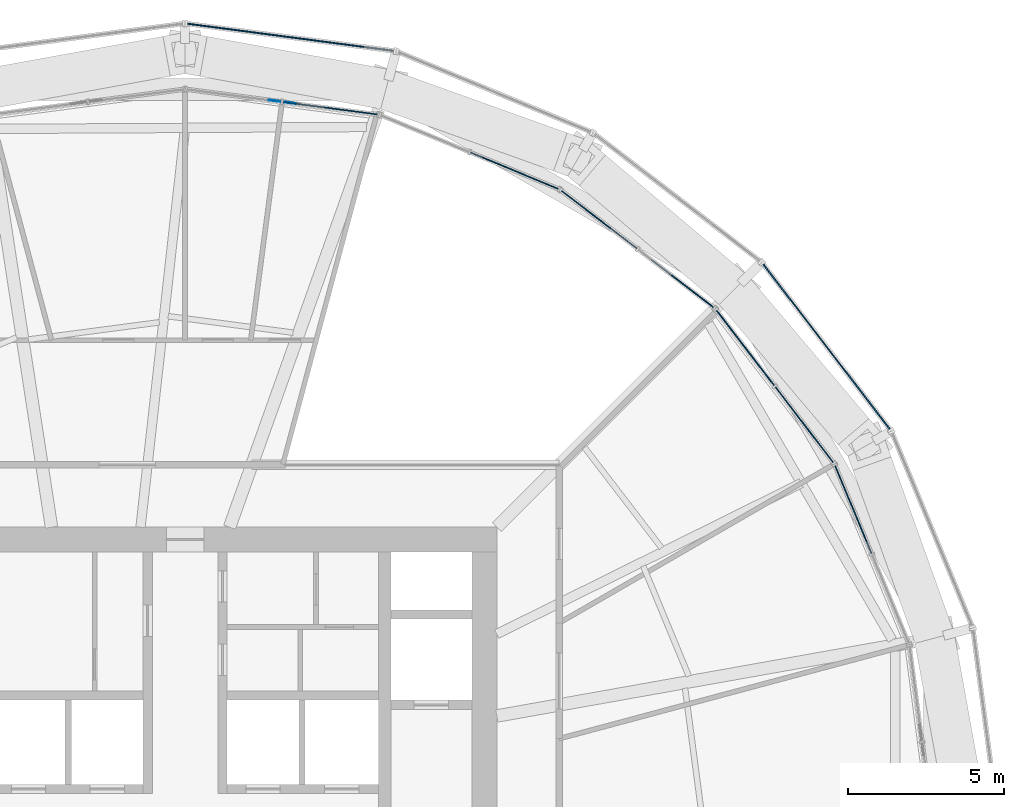
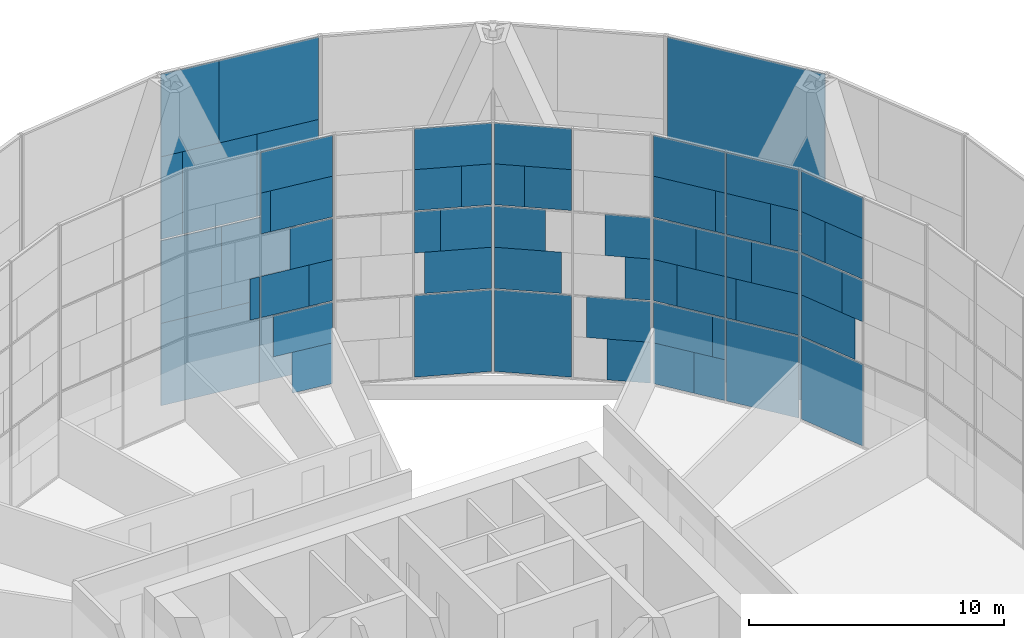
# One storey, part 21 of 26: 63 plates, 7 elements without a shape of their own.
"""IFC4 building model written with IfcOpenShell, lengths in metres."""

from ifc_helpers import new_model, si_unit, direction, frame, origin, origin_2d, place, context, subcontext, project, spatial, rectangle, extrude, material, layer, layer_set, type_object, element, aggregate, save


model = new_model("IFC4")

# Units and contexts
model_context = context("Model", 3, precision=1e-05, world=origin(), true_north=direction((0.0, 1.0)))
body_context = subcontext(model_context, "Body", "Model", "MODEL_VIEW")
ifc_project = project(units=[si_unit("LENGTHUNIT", "METRE"), si_unit("AREAUNIT", "SQUARE_METRE"), si_unit("VOLUMEUNIT", "CUBIC_METRE"), si_unit("PLANEANGLEUNIT", "RADIAN"), si_unit("MASSUNIT", "GRAM", prefix="KILO")], contexts=[model_context])

# Site, building, storey
site_placement = place(None, origin())
site = spatial("IfcSite", under=ifc_project, at=site_placement, CompositionType="ELEMENT")
building_placement = place(site_placement, origin())
building = spatial("IfcBuilding", under=site, at=building_placement, Name="Golbaran Civic Tower", CompositionType="ELEMENT")
storey_placement = place(building_placement, frame((0.0, 0.0, 69.0)))
storey = spatial("IfcBuildingStorey", under=building, at=storey_placement, Name="L16", CompositionType="ELEMENT", Elevation=69.0)

# Curtain wall, plates
ifc_material_1 = material(Name="Aluminium and glass", Category="aluminium")
curtain_wall_type_1 = type_object("IfcCurtainWallType", Name="INNER SKIN CURTAIN WALL", PredefinedType="NOTDEFINED", material=ifc_material_1)
curtain_wall_1_placement = place(storey_placement, origin())
curtain_wall_1 = element("IfcCurtainWall", 1, at=curtain_wall_1_placement, inside=storey, type_object=curtain_wall_type_1, Name="Inner skin L16 facet 2 CW1", ObjectType="INNER SKIN", PredefinedType="USERDEFINED")
ifc_material_2 = material(Name="Clear insulating glass", Category="glass")
ifc_layer_1 = layer(ifc_material_2, 0.031982421875, Name="Clear insulating glass")
ifc_layer_set_1 = layer_set([ifc_layer_1], Name="Clear insulating glass")
plate_type_1 = type_object("IfcPlateType", Name="INNER SKIN CURTAIN WALL GLAZED PANEL", PredefinedType="CURTAIN_PANEL", material=ifc_layer_set_1)
plate_1_placement = place(storey_placement, frame((21.4375, 10.561279296875, 0.06494140625), z_axis=(0.0, 0.0, 1.0), x_axis=(-0.382683432446, 0.923879532478, 0.0)))
plate_1 = element("IfcPlate", 2, at=plate_1_placement, type_object=plate_type_1, Name="CW1 panel 2.1", PredefinedType="CURTAIN_PANEL", context=body_context, shape_type="SweptSolid", body=[
    extrude(rectangle(XDim=3.0419921875, YDim=0.031982421875, at=origin_2d()), origin(), (0.0, 0.0, 1.0), 3.902587890625),
])
plate_2_placement = place(storey_placement, frame((21.36083984375, 10.746337890625, 4.03271484375), z_axis=(0.0, 0.0, 1.0), x_axis=(-0.382683432446, 0.923879532478, 0.0)))
plate_2 = element("IfcPlate", 3, at=plate_2_placement, type_object=plate_type_1, Name="CW1 panel 2.2 part 2", PredefinedType="CURTAIN_PANEL", context=body_context, shape_type="SweptSolid", body=[
    extrude(rectangle(XDim=2.64111328125, YDim=0.031982421875, at=origin_2d()), origin(), (0.0, 0.0, 1.0), 1.967529296875),
])
plate_3_placement = place(storey_placement, frame((21.23876953125, 11.041259765625, 6.0), z_axis=(0.0, 0.0, 1.0), x_axis=(-0.382683432446, 0.923879532478, 0.0)))
plate_3 = element("IfcPlate", 4, at=plate_3_placement, type_object=plate_type_1, Name="CW1 panel 2.2 part 4", PredefinedType="CURTAIN_PANEL", context=body_context, shape_type="SweptSolid", body=[
    extrude(rectangle(XDim=2.0029296875, YDim=0.031982421875, at=origin_2d()), origin(), (0.0, 0.0, 1.0), 1.967529296875),
])
plate_4_placement = place(storey_placement, frame((21.0810546875, 11.421875, 8.032470703125), z_axis=(0.0, 0.0, 1.0), x_axis=(-0.382683432446, 0.923879532478, 0.0)))
plate_4 = element("IfcPlate", 5, at=plate_4_placement, type_object=plate_type_1, Name="CW1 panel 2.3 part 2", PredefinedType="CURTAIN_PANEL", context=body_context, shape_type="SweptSolid", body=[
    extrude(rectangle(XDim=1.178955078125, YDim=0.031982421875, at=origin_2d()), origin(), (0.0, 0.0, 1.0), 1.951171875),
])

curtain_wall_2_placement = place(storey_placement, origin())
curtain_wall_2 = element("IfcCurtainWall", 6, at=curtain_wall_2_placement, inside=storey, type_object=curtain_wall_type_1, Name="Inner skin L16 facet 3 CW1", ObjectType="INNER SKIN", PredefinedType="USERDEFINED")
plate_5_placement = place(storey_placement, frame((19.864990234375, 13.28466796875, 0.06494140625), z_axis=(0.0, 0.0, 1.0), x_axis=(-0.608761428967, 0.793353340323, 0.0)))
plate_5 = element("IfcPlate", 7, at=plate_5_placement, type_object=plate_type_1, Name="CW1 panel 1.1", PredefinedType="CURTAIN_PANEL", context=body_context, shape_type="SweptSolid", body=[
    extrude(rectangle(XDim=3.0419921875, YDim=0.031982421875, at=origin_2d()), origin(), (0.0, 0.0, 1.0), 3.902587890625),
])
plate_6_placement = place(storey_placement, frame((19.987060546875, 13.125732421875, 4.03271484375), z_axis=(0.0, 0.0, 1.0), x_axis=(-0.608761428967, 0.793353340323, 0.0)))
plate_6 = element("IfcPlate", 8, at=plate_6_placement, type_object=plate_type_1, Name="CW1 panel 1.2 part 1", PredefinedType="CURTAIN_PANEL", context=body_context, shape_type="SweptSolid", body=[
    extrude(rectangle(XDim=2.64111328125, YDim=0.031982421875, at=origin_2d()), origin(), (0.0, 0.0, 1.0), 1.967529296875),
])
plate_7_placement = place(storey_placement, frame((20.18115234375, 12.87255859375, 6.0), z_axis=(0.0, 0.0, 1.0), x_axis=(-0.608761428967, 0.793353340323, 0.0)))
plate_7 = element("IfcPlate", 9, at=plate_7_placement, type_object=plate_type_1, Name="CW1 panel 1.2 part 3", PredefinedType="CURTAIN_PANEL", context=body_context, shape_type="SweptSolid", body=[
    extrude(rectangle(XDim=2.0029296875, YDim=0.031982421875, at=origin_2d()), origin(), (0.0, 0.0, 1.0), 1.967529296875),
])
plate_8_placement = place(storey_placement, frame((20.43212890625, 12.545654296875, 8.032470703125), z_axis=(0.0, 0.0, 1.0), x_axis=(-0.608761428967, 0.793353340323, 0.0)))
plate_8 = element("IfcPlate", 10, at=plate_8_placement, type_object=plate_type_1, Name="CW1 panel 1.3 part 1", PredefinedType="CURTAIN_PANEL", context=body_context, shape_type="SweptSolid", body=[
    extrude(rectangle(XDim=1.178955078125, YDim=0.031982421875, at=origin_2d()), origin(), (0.0, 0.0, 1.0), 1.951171875),
])
plate_9_placement = place(storey_placement, frame((18.494873046875, 15.0703125, 0.06494140625), z_axis=(0.0, 0.0, 1.0), x_axis=(-0.608761428967, 0.793353340323, 0.0)))
plate_9 = element("IfcPlate", 11, at=plate_9_placement, type_object=plate_type_1, Name="CW1 panel 2.1 part 1", PredefinedType="CURTAIN_PANEL", context=body_context, shape_type="SweptSolid", body=[
    extrude(rectangle(XDim=1.3291015625, YDim=0.031982421875, at=origin_2d()), origin(), (0.0, 0.0, 1.0), 1.951171875),
])
plate_10_placement = place(storey_placement, frame((18.73779296875, 14.753662109375, 2.016357421875), z_axis=(0.0, 0.0, 1.0), x_axis=(-0.608761428967, 0.793353340323, 0.0)))
plate_10 = element("IfcPlate", 12, at=plate_10_placement, type_object=plate_type_1, Name="CW1 panel 2.1 part 3", PredefinedType="CURTAIN_PANEL", context=body_context, shape_type="SweptSolid", body=[
    extrude(rectangle(XDim=0.531005859375, YDim=0.031982421875, at=origin_2d()), origin(), (0.0, 0.0, 1.0), 1.951171875),
])
plate_11_placement = place(storey_placement, frame((17.349609375, 16.56298828125, 4.03271484375), z_axis=(0.0, 0.0, 1.0), x_axis=(-0.608761428967, 0.793353340323, 0.0)))
plate_11 = element("IfcPlate", 13, at=plate_11_placement, type_object=plate_type_1, Name="CW1 panel 2.2 part 2", PredefinedType="CURTAIN_PANEL", context=body_context, shape_type="SweptSolid", body=[
    extrude(rectangle(XDim=0.991943359375, YDim=0.031982421875, at=origin_2d()), origin(), (0.0, 0.0, 1.0), 1.967529296875),
])
plate_12_placement = place(storey_placement, frame((17.594970703125, 16.2431640625, 6.0), z_axis=(0.0, 0.0, 1.0), x_axis=(-0.608761428967, 0.793353340323, 0.0)))
plate_12 = element("IfcPlate", 14, at=plate_12_placement, type_object=plate_type_1, Name="CW1 panel 2.2 part 4", PredefinedType="CURTAIN_PANEL", context=body_context, shape_type="SweptSolid", body=[
    extrude(rectangle(XDim=1.798095703125, YDim=0.031982421875, at=origin_2d()), origin(), (0.0, 0.0, 1.0), 1.967529296875),
])
plate_13_placement = place(storey_placement, frame((17.848388671875, 15.912841796875, 8.032470703125), z_axis=(0.0, 0.0, 1.0), x_axis=(-0.608761428967, 0.793353340323, 0.0)))
plate_13 = element("IfcPlate", 15, at=plate_13_placement, type_object=plate_type_1, Name="CW1 panel 2.3 part 2", PredefinedType="CURTAIN_PANEL", context=body_context, shape_type="SweptSolid", body=[
    extrude(rectangle(XDim=2.631103515625, YDim=0.031982421875, at=origin_2d()), origin(), (0.0, 0.0, 1.0), 1.951171875),
])
plate_14_placement = place(storey_placement, frame((17.9736328125, 15.749755859375, 9.98388671875), z_axis=(0.0, 0.0, 1.0), x_axis=(-0.608761428967, 0.793353340323, 0.0)))
plate_14 = element("IfcPlate", 16, at=plate_14_placement, type_object=plate_type_1, Name="CW1 panel 2.3 part 3", PredefinedType="CURTAIN_PANEL", context=body_context, shape_type="SweptSolid", body=[
    extrude(rectangle(XDim=3.0419921875, YDim=0.031982421875, at=origin_2d()), origin(), (0.0, 0.0, 1.0), 1.951171875),
])

curtain_wall_3_placement = place(storey_placement, origin())
curtain_wall_3 = element("IfcCurtainWall", 17, at=curtain_wall_3_placement, inside=storey, type_object=curtain_wall_type_1, Name="Inner skin L16 facet 4 CW1", ObjectType="INNER SKIN", PredefinedType="USERDEFINED")
plate_15_placement = place(storey_placement, frame((16.56298828125, 17.349609375, 4.03271484375), z_axis=(0.0, 0.0, 1.0), x_axis=(-0.793353340323, 0.608761428967, 0.0)))
plate_15 = element("IfcPlate", 18, at=plate_15_placement, type_object=plate_type_1, Name="CW1 panel 1.2 part 1", PredefinedType="CURTAIN_PANEL", context=body_context, shape_type="SweptSolid", body=[
    extrude(rectangle(XDim=0.991943359375, YDim=0.031982421875, at=origin_2d()), origin(), (0.0, 0.0, 1.0), 1.967529296875),
])
plate_16_placement = place(storey_placement, frame((16.242919921875, 17.59521484375, 6.0), z_axis=(0.0, 0.0, 1.0), x_axis=(-0.793353340323, 0.608761428967, 0.0)))
plate_16 = element("IfcPlate", 19, at=plate_16_placement, type_object=plate_type_1, Name="CW1 panel 1.2 part 3", PredefinedType="CURTAIN_PANEL", context=body_context, shape_type="SweptSolid", body=[
    extrude(rectangle(XDim=1.799072265625, YDim=0.031982421875, at=origin_2d()), origin(), (0.0, 0.0, 1.0), 1.967529296875),
])
plate_17_placement = place(storey_placement, frame((13.28466796875, 19.864990234375, 0.06494140625), z_axis=(0.0, 0.0, 1.0), x_axis=(-0.793353340323, 0.608761428967, 0.0)))
plate_17 = element("IfcPlate", 20, at=plate_17_placement, type_object=plate_type_1, Name="CW1 panel 2.1", PredefinedType="CURTAIN_PANEL", context=body_context, shape_type="SweptSolid", body=[
    extrude(rectangle(XDim=3.0419921875, YDim=0.031982421875, at=origin_2d()), origin(), (0.0, 0.0, 1.0), 3.902587890625),
])
plate_18_placement = place(storey_placement, frame((13.125732421875, 19.987060546875, 4.03271484375), z_axis=(0.0, 0.0, 1.0), x_axis=(-0.793353340323, 0.608761428967, 0.0)))
plate_18 = element("IfcPlate", 21, at=plate_18_placement, type_object=plate_type_1, Name="CW1 panel 2.2 part 2", PredefinedType="CURTAIN_PANEL", context=body_context, shape_type="SweptSolid", body=[
    extrude(rectangle(XDim=2.64111328125, YDim=0.031982421875, at=origin_2d()), origin(), (0.0, 0.0, 1.0), 1.967529296875),
])
plate_19_placement = place(storey_placement, frame((12.87255859375, 20.18115234375, 6.0), z_axis=(0.0, 0.0, 1.0), x_axis=(-0.793353340323, 0.608761428967, 0.0)))
plate_19 = element("IfcPlate", 22, at=plate_19_placement, type_object=plate_type_1, Name="CW1 panel 2.2 part 4", PredefinedType="CURTAIN_PANEL", context=body_context, shape_type="SweptSolid", body=[
    extrude(rectangle(XDim=2.0029296875, YDim=0.031982421875, at=origin_2d()), origin(), (0.0, 0.0, 1.0), 1.967529296875),
])
plate_20_placement = place(storey_placement, frame((12.545654296875, 20.43212890625, 8.032470703125), z_axis=(0.0, 0.0, 1.0), x_axis=(-0.793353340323, 0.608761428967, 0.0)))
plate_20 = element("IfcPlate", 23, at=plate_20_placement, type_object=plate_type_1, Name="CW1 panel 2.3 part 2", PredefinedType="CURTAIN_PANEL", context=body_context, shape_type="SweptSolid", body=[
    extrude(rectangle(XDim=1.178955078125, YDim=0.031982421875, at=origin_2d()), origin(), (0.0, 0.0, 1.0), 1.951171875),
])

curtain_wall_4_placement = place(storey_placement, origin())
curtain_wall_4 = element("IfcCurtainWall", 24, at=curtain_wall_4_placement, inside=storey, type_object=curtain_wall_type_1, Name="Inner skin L16 facet 5 CW1", ObjectType="INNER SKIN", PredefinedType="USERDEFINED")
plate_21_placement = place(storey_placement, frame((10.561279296875, 21.4375, 0.06494140625), z_axis=(0.0, 0.0, 1.0), x_axis=(-0.923879532478, 0.382683432446, 0.0)))
plate_21 = element("IfcPlate", 25, at=plate_21_placement, type_object=plate_type_1, Name="CW1 panel 1.1", PredefinedType="CURTAIN_PANEL", context=body_context, shape_type="SweptSolid", body=[
    extrude(rectangle(XDim=3.0419921875, YDim=0.031982421875, at=origin_2d()), origin(), (0.0, 0.0, 1.0), 3.902587890625),
])
plate_22_placement = place(storey_placement, frame((10.74658203125, 21.360595703125, 4.03271484375), z_axis=(0.0, 0.0, 1.0), x_axis=(-0.923879532478, 0.382683432446, 0.0)))
plate_22 = element("IfcPlate", 26, at=plate_22_placement, type_object=plate_type_1, Name="CW1 panel 1.2 part 1", PredefinedType="CURTAIN_PANEL", context=body_context, shape_type="SweptSolid", body=[
    extrude(rectangle(XDim=2.64111328125, YDim=0.031982421875, at=origin_2d()), origin(), (0.0, 0.0, 1.0), 1.967529296875),
])
plate_23_placement = place(storey_placement, frame((11.041259765625, 21.238525390625, 6.0), z_axis=(0.0, 0.0, 1.0), x_axis=(-0.923879532478, 0.382683432446, 0.0)))
plate_23 = element("IfcPlate", 27, at=plate_23_placement, type_object=plate_type_1, Name="CW1 panel 1.2 part 3", PredefinedType="CURTAIN_PANEL", context=body_context, shape_type="SweptSolid", body=[
    extrude(rectangle(XDim=2.0029296875, YDim=0.031982421875, at=origin_2d()), origin(), (0.0, 0.0, 1.0), 1.967529296875),
])
plate_24_placement = place(storey_placement, frame((11.421875, 21.0810546875, 8.032470703125), z_axis=(0.0, 0.0, 1.0), x_axis=(-0.923879532478, 0.382683432446, 0.0)))
plate_24 = element("IfcPlate", 28, at=plate_24_placement, type_object=plate_type_1, Name="CW1 panel 1.3 part 1", PredefinedType="CURTAIN_PANEL", context=body_context, shape_type="SweptSolid", body=[
    extrude(rectangle(XDim=1.178955078125, YDim=0.031982421875, at=origin_2d()), origin(), (0.0, 0.0, 1.0), 1.951171875),
])

curtain_wall_5_placement = place(storey_placement, origin())
curtain_wall_5 = element("IfcCurtainWall", 29, at=curtain_wall_5_placement, inside=storey, type_object=curtain_wall_type_1, Name="Inner skin L16 facet 6 CW1", ObjectType="INNER SKIN", PredefinedType="USERDEFINED")
plate_25_placement = place(storey_placement, frame((5.669189453125, 23.306640625, 4.03271484375), z_axis=(0.0, 0.0, 1.0), x_axis=(-0.991444861381, 0.130526192168, 0.0)))
plate_25 = element("IfcPlate", 30, at=plate_25_placement, type_object=plate_type_1, Name="CW1 panel 1.2 part 1", PredefinedType="CURTAIN_PANEL", context=body_context, shape_type="SweptSolid", body=[
    extrude(rectangle(XDim=0.991943359375, YDim=0.031982421875, at=origin_2d()), origin(), (0.0, 0.0, 1.0), 1.967529296875),
])
plate_26_placement = place(storey_placement, frame((5.26904296875, 23.359375, 6.0), z_axis=(0.0, 0.0, 1.0), x_axis=(-0.991444861381, 0.130526192168, 0.0)))
plate_26 = element("IfcPlate", 31, at=plate_26_placement, type_object=plate_type_1, Name="CW1 panel 1.2 part 3", PredefinedType="CURTAIN_PANEL", context=body_context, shape_type="SweptSolid", body=[
    extrude(rectangle(XDim=1.799072265625, YDim=0.031982421875, at=origin_2d()), origin(), (0.0, 0.0, 1.0), 1.967529296875),
])
plate_27_placement = place(storey_placement, frame((4.856689453125, 23.41357421875, 8.032470703125), z_axis=(0.0, 0.0, 1.0), x_axis=(-0.991444861381, 0.130526192168, 0.0)))
plate_27 = element("IfcPlate", 32, at=plate_27_placement, type_object=plate_type_1, Name="CW1 panel 1.3 part 1", PredefinedType="CURTAIN_PANEL", context=body_context, shape_type="SweptSolid", body=[
    extrude(rectangle(XDim=2.631103515625, YDim=0.031982421875, at=origin_2d()), origin(), (0.0, 0.0, 1.0), 1.951171875),
])
plate_28_placement = place(storey_placement, frame((4.65283203125, 23.4404296875, 9.98388671875), z_axis=(0.0, 0.0, 1.0), x_axis=(-0.991444861381, 0.130526192168, 0.0)))
plate_28 = element("IfcPlate", 33, at=plate_28_placement, type_object=plate_type_1, Name="CW1 panel 1.3 part 3", PredefinedType="CURTAIN_PANEL", context=body_context, shape_type="SweptSolid", body=[
    extrude(rectangle(XDim=3.0419921875, YDim=0.031982421875, at=origin_2d()), origin(), (0.0, 0.0, 1.0), 1.951171875),
])

# Plate
ifc_material_3 = material(Name="Aluminium faced opaque infill panel", Category="aluminium")
ifc_layer_2 = layer(ifc_material_3, 0.031982421875, Name="Aluminium faced opaque infill panel")
ifc_layer_set_2 = layer_set([ifc_layer_2], Name="Aluminium faced opaque infill panel")
plate_type_2 = type_object("IfcPlateType", Name="INNER SKIN CURTAIN WALL OPAQUE INFILL PANEL", PredefinedType="CURTAIN_PANEL", material=ifc_layer_set_2)
plate_29_placement = place(storey_placement, frame((21.82080078125, 9.635986328125, 6.0), z_axis=(0.0, 0.0, 1.0), x_axis=(-0.382683432446, 0.923879532478, 0.0)))
plate_29 = element("IfcPlate", 34, at=plate_29_placement, type_object=plate_type_2, Name="CW1 infill panel 2.2 part 3", PredefinedType="CURTAIN_PANEL", context=body_context, shape_type="SweptSolid", body=[
    extrude(rectangle(XDim=1.0390625, YDim=0.031982421875, at=origin_2d()), origin(), (0.0, 0.0, 1.0), 1.967529296875),
])

plate_30_placement = place(storey_placement, frame((21.6630859375, 10.0166015625, 8.032470703125), z_axis=(0.0, 0.0, 1.0), x_axis=(-0.382683432446, 0.923879532478, 0.0)))
plate_30 = element("IfcPlate", 35, at=plate_30_placement, type_object=plate_type_2, Name="CW1 infill panel 2.3 part 1", PredefinedType="CURTAIN_PANEL", context=body_context, shape_type="SweptSolid", body=[
    extrude(rectangle(XDim=1.863037109375, YDim=0.031982421875, at=origin_2d()), origin(), (0.0, 0.0, 1.0), 1.951171875),
])

plate_31_placement = place(storey_placement, frame((21.4375, 10.561279296875, 9.98388671875), z_axis=(0.0, 0.0, 1.0), x_axis=(-0.382683432446, 0.923879532478, 0.0)))
plate_31 = element("IfcPlate", 36, at=plate_31_placement, type_object=plate_type_2, Name="CW1 infill panel 2.3 part 3", PredefinedType="CURTAIN_PANEL", context=body_context, shape_type="SweptSolid", body=[
    extrude(rectangle(XDim=3.0419921875, YDim=0.031982421875, at=origin_2d()), origin(), (0.0, 0.0, 1.0), 1.951171875),
])

aggregate(curtain_wall_1, [plate_1, plate_2, plate_29, plate_3, plate_30, plate_4, plate_31])

plate_32_placement = place(storey_placement, frame((19.06103515625, 14.33251953125, 4.03271484375), z_axis=(0.0, 0.0, 1.0), x_axis=(-0.608761428967, 0.793353340323, 0.0)))
plate_32 = element("IfcPlate", 37, at=plate_32_placement, type_object=plate_type_2, Name="CW1 infill panel 1.2 part 2", PredefinedType="CURTAIN_PANEL", context=body_context, shape_type="SweptSolid", body=[
    extrude(rectangle(XDim=0.401123046875, YDim=0.031982421875, at=origin_2d()), origin(), (0.0, 0.0, 1.0), 1.967529296875),
])

plate_33_placement = place(storey_placement, frame((19.25537109375, 14.079345703125, 6.0), z_axis=(0.0, 0.0, 1.0), x_axis=(-0.608761428967, 0.793353340323, 0.0)))
plate_33 = element("IfcPlate", 38, at=plate_33_placement, type_object=plate_type_2, Name="CW1 infill panel 1.2 part 4", PredefinedType="CURTAIN_PANEL", context=body_context, shape_type="SweptSolid", body=[
    extrude(rectangle(XDim=1.0390625, YDim=0.031982421875, at=origin_2d()), origin(), (0.0, 0.0, 1.0), 1.967529296875),
])

plate_34_placement = place(storey_placement, frame((19.506103515625, 13.75244140625, 8.032470703125), z_axis=(0.0, 0.0, 1.0), x_axis=(-0.608761428967, 0.793353340323, 0.0)))
plate_34 = element("IfcPlate", 39, at=plate_34_placement, type_object=plate_type_2, Name="CW1 infill panel 1.3 part 2", PredefinedType="CURTAIN_PANEL", context=body_context, shape_type="SweptSolid", body=[
    extrude(rectangle(XDim=1.863037109375, YDim=0.031982421875, at=origin_2d()), origin(), (0.0, 0.0, 1.0), 1.951171875),
])

plate_35_placement = place(storey_placement, frame((19.864990234375, 13.28466796875, 9.98388671875), z_axis=(0.0, 0.0, 1.0), x_axis=(-0.608761428967, 0.793353340323, 0.0)))
plate_35 = element("IfcPlate", 40, at=plate_35_placement, type_object=plate_type_2, Name="CW1 infill panel 1.3 part 3", PredefinedType="CURTAIN_PANEL", context=body_context, shape_type="SweptSolid", body=[
    extrude(rectangle(XDim=3.0419921875, YDim=0.031982421875, at=origin_2d()), origin(), (0.0, 0.0, 1.0), 1.951171875),
])

plate_36_placement = place(storey_placement, frame((17.569091796875, 16.27685546875, 0.06494140625), z_axis=(0.0, 0.0, 1.0), x_axis=(-0.608761428967, 0.793353340323, 0.0)))
plate_36 = element("IfcPlate", 41, at=plate_36_placement, type_object=plate_type_2, Name="CW1 infill panel 2.1 part 2", PredefinedType="CURTAIN_PANEL", context=body_context, shape_type="SweptSolid", body=[
    extrude(rectangle(XDim=1.713134765625, YDim=0.031982421875, at=origin_2d()), origin(), (0.0, 0.0, 1.0), 1.951171875),
])

plate_37_placement = place(storey_placement, frame((17.81201171875, 15.96044921875, 2.016357421875), z_axis=(0.0, 0.0, 1.0), x_axis=(-0.608761428967, 0.793353340323, 0.0)))
plate_37 = element("IfcPlate", 42, at=plate_37_placement, type_object=plate_type_2, Name="CW1 infill panel 2.1 part 4", PredefinedType="CURTAIN_PANEL", context=body_context, shape_type="SweptSolid", body=[
    extrude(rectangle(XDim=2.510986328125, YDim=0.031982421875, at=origin_2d()), origin(), (0.0, 0.0, 1.0), 1.951171875),
])

plate_38_placement = place(storey_placement, frame((18.275390625, 15.356201171875, 4.03271484375), z_axis=(0.0, 0.0, 1.0), x_axis=(-0.608761428967, 0.793353340323, 0.0)))
plate_38 = element("IfcPlate", 43, at=plate_38_placement, type_object=plate_type_2, Name="CW1 infill panel 2.2 part 1", PredefinedType="CURTAIN_PANEL", context=body_context, shape_type="SweptSolid", body=[
    extrude(rectangle(XDim=2.050048828125, YDim=0.031982421875, at=origin_2d()), origin(), (0.0, 0.0, 1.0), 1.967529296875),
])

plate_39_placement = place(storey_placement, frame((18.520751953125, 15.03662109375, 6.0), z_axis=(0.0, 0.0, 1.0), x_axis=(-0.608761428967, 0.793353340323, 0.0)))
plate_39 = element("IfcPlate", 44, at=plate_39_placement, type_object=plate_type_2, Name="CW1 infill panel 2.2 part 3", PredefinedType="CURTAIN_PANEL", context=body_context, shape_type="SweptSolid", body=[
    extrude(rectangle(XDim=1.243896484375, YDim=0.031982421875, at=origin_2d()), origin(), (0.0, 0.0, 1.0), 1.967529296875),
])

plate_40_placement = place(storey_placement, frame((18.7744140625, 14.7060546875, 8.032470703125), z_axis=(0.0, 0.0, 1.0), x_axis=(-0.608761428967, 0.793353340323, 0.0)))
plate_40 = element("IfcPlate", 45, at=plate_40_placement, type_object=plate_type_2, Name="CW1 infill panel 2.3 part 1", PredefinedType="CURTAIN_PANEL", context=body_context, shape_type="SweptSolid", body=[
    extrude(rectangle(XDim=0.410888671875, YDim=0.031982421875, at=origin_2d()), origin(), (0.0, 0.0, 1.0), 1.951171875),
])

aggregate(curtain_wall_2, [plate_5, plate_6, plate_32, plate_7, plate_33, plate_8, plate_34, plate_35, plate_9, plate_36, plate_10, plate_37, plate_38, plate_11, plate_39, plate_12, plate_40, plate_13, plate_14])

plate_41_placement = place(storey_placement, frame((16.27685546875, 17.569091796875, 0.06494140625), z_axis=(0.0, 0.0, 1.0), x_axis=(-0.793353340323, 0.608761428967, 0.0)))
plate_41 = element("IfcPlate", 46, at=plate_41_placement, type_object=plate_type_2, Name="CW1 infill panel 1.1 part 1", PredefinedType="CURTAIN_PANEL", context=body_context, shape_type="SweptSolid", body=[
    extrude(rectangle(XDim=1.712890625, YDim=0.031982421875, at=origin_2d()), origin(), (0.0, 0.0, 1.0), 1.951171875),
])

plate_42_placement = place(storey_placement, frame((15.96044921875, 17.81201171875, 2.016357421875), z_axis=(0.0, 0.0, 1.0), x_axis=(-0.793353340323, 0.608761428967, 0.0)))
plate_42 = element("IfcPlate", 47, at=plate_42_placement, type_object=plate_type_2, Name="CW1 infill panel 1.1 part 3", PredefinedType="CURTAIN_PANEL", context=body_context, shape_type="SweptSolid", body=[
    extrude(rectangle(XDim=2.510986328125, YDim=0.031982421875, at=origin_2d()), origin(), (0.0, 0.0, 1.0), 1.951171875),
])

plate_43_placement = place(storey_placement, frame((13.75244140625, 19.506103515625, 8.032470703125), z_axis=(0.0, 0.0, 1.0), x_axis=(-0.793353340323, 0.608761428967, 0.0)))
plate_43 = element("IfcPlate", 48, at=plate_43_placement, type_object=plate_type_2, Name="CW1 infill panel 2.3 part 1", PredefinedType="CURTAIN_PANEL", context=body_context, shape_type="SweptSolid", body=[
    extrude(rectangle(XDim=1.863037109375, YDim=0.031982421875, at=origin_2d()), origin(), (0.0, 0.0, 1.0), 1.951171875),
])

plate_44_placement = place(storey_placement, frame((13.28466796875, 19.864990234375, 9.98388671875), z_axis=(0.0, 0.0, 1.0), x_axis=(-0.793353340323, 0.608761428967, 0.0)))
plate_44 = element("IfcPlate", 49, at=plate_44_placement, type_object=plate_type_2, Name="CW1 infill panel 2.3 part 3", PredefinedType="CURTAIN_PANEL", context=body_context, shape_type="SweptSolid", body=[
    extrude(rectangle(XDim=3.0419921875, YDim=0.031982421875, at=origin_2d()), origin(), (0.0, 0.0, 1.0), 1.951171875),
])

aggregate(curtain_wall_3, [plate_41, plate_42, plate_15, plate_16, plate_17, plate_18, plate_19, plate_43, plate_20, plate_44])

plate_45_placement = place(storey_placement, frame((9.635986328125, 21.82080078125, 6.0), z_axis=(0.0, 0.0, 1.0), x_axis=(-0.923879532478, 0.382683432446, 0.0)))
plate_45 = element("IfcPlate", 50, at=plate_45_placement, type_object=plate_type_2, Name="CW1 infill panel 1.2 part 4", PredefinedType="CURTAIN_PANEL", context=body_context, shape_type="SweptSolid", body=[
    extrude(rectangle(XDim=1.0390625, YDim=0.031982421875, at=origin_2d()), origin(), (0.0, 0.0, 1.0), 1.967529296875),
])

plate_46_placement = place(storey_placement, frame((10.0166015625, 21.6630859375, 8.032470703125), z_axis=(0.0, 0.0, 1.0), x_axis=(-0.923879532478, 0.382683432446, 0.0)))
plate_46 = element("IfcPlate", 51, at=plate_46_placement, type_object=plate_type_2, Name="CW1 infill panel 1.3 part 2", PredefinedType="CURTAIN_PANEL", context=body_context, shape_type="SweptSolid", body=[
    extrude(rectangle(XDim=1.863037109375, YDim=0.031982421875, at=origin_2d()), origin(), (0.0, 0.0, 1.0), 1.951171875),
])

plate_47_placement = place(storey_placement, frame((10.561279296875, 21.4375, 9.98388671875), z_axis=(0.0, 0.0, 1.0), x_axis=(-0.923879532478, 0.382683432446, 0.0)))
plate_47 = element("IfcPlate", 52, at=plate_47_placement, type_object=plate_type_2, Name="CW1 infill panel 1.3 part 3", PredefinedType="CURTAIN_PANEL", context=body_context, shape_type="SweptSolid", body=[
    extrude(rectangle(XDim=3.0419921875, YDim=0.031982421875, at=origin_2d()), origin(), (0.0, 0.0, 1.0), 1.951171875),
])

aggregate(curtain_wall_4, [plate_21, plate_22, plate_23, plate_45, plate_24, plate_46, plate_47])

plate_48_placement = place(storey_placement, frame((5.311767578125, 23.353759765625, 0.06494140625), z_axis=(0.0, 0.0, 1.0), x_axis=(-0.991444861381, 0.130526192168, 0.0)))
plate_48 = element("IfcPlate", 53, at=plate_48_placement, type_object=plate_type_2, Name="CW1 infill panel 1.1 part 1", PredefinedType="CURTAIN_PANEL", context=body_context, shape_type="SweptSolid", body=[
    extrude(rectangle(XDim=1.712890625, YDim=0.031982421875, at=origin_2d()), origin(), (0.0, 0.0, 1.0), 1.951171875),
])

plate_49_placement = place(storey_placement, frame((4.916259765625, 23.40576171875, 2.016357421875), z_axis=(0.0, 0.0, 1.0), x_axis=(-0.991444861381, 0.130526192168, 0.0)))
plate_49 = element("IfcPlate", 54, at=plate_49_placement, type_object=plate_type_2, Name="CW1 infill panel 1.1 part 3", PredefinedType="CURTAIN_PANEL", context=body_context, shape_type="SweptSolid", body=[
    extrude(rectangle(XDim=2.510986328125, YDim=0.031982421875, at=origin_2d()), origin(), (0.0, 0.0, 1.0), 1.951171875),
])

plate_50_placement = place(storey_placement, frame((4.1611328125, 23.505126953125, 4.03271484375), z_axis=(0.0, 0.0, 1.0), x_axis=(-0.991444861381, 0.130526192168, 0.0)))
plate_50 = element("IfcPlate", 55, at=plate_50_placement, type_object=plate_type_2, Name="CW1 infill panel 1.2 part 2", PredefinedType="CURTAIN_PANEL", context=body_context, shape_type="SweptSolid", body=[
    extrude(rectangle(XDim=2.050048828125, YDim=0.031982421875, at=origin_2d()), origin(), (0.0, 0.0, 1.0), 1.967529296875),
])

plate_51_placement = place(storey_placement, frame((3.3486328125, 23.612060546875, 8.032470703125), z_axis=(0.0, 0.0, 1.0), x_axis=(-0.991444861381, 0.130526192168, 0.0)))
plate_51 = element("IfcPlate", 56, at=plate_51_placement, type_object=plate_type_2, Name="CW1 infill panel 1.3 part 2", PredefinedType="CURTAIN_PANEL", context=body_context, shape_type="SweptSolid", body=[
    extrude(rectangle(XDim=0.4111328125, YDim=0.031982421875, at=origin_2d()), origin(), (0.0, 0.0, 1.0), 1.951171875),
])

plate_52_placement = place(storey_placement, frame((2.881591796875, 23.673583984375, 4.03271484375), z_axis=(0.0, 0.0, 1.0), x_axis=(-0.991444861381, 0.130526192168, 0.0)))
plate_52 = element("IfcPlate", 57, at=plate_52_placement, type_object=plate_type_2, Name="CW1 infill panel 2.2 part 1", PredefinedType="CURTAIN_PANEL", context=body_context, shape_type="SweptSolid", body=[
    extrude(rectangle(XDim=0.40087890625, YDim=0.031982421875, at=origin_2d()), origin(), (0.0, 0.0, 1.0), 1.967529296875),
])

aggregate(curtain_wall_5, [plate_48, plate_49, plate_25, plate_50, plate_26, plate_27, plate_51, plate_28, plate_52])

# Curtain wall, plates
curtain_wall_type_2 = type_object("IfcCurtainWallType", Name="OUTER SKIN TERRACOTTA SCREEN", PredefinedType="NOTDEFINED", material=ifc_material_1)
curtain_wall_6_placement = place(storey_placement, origin())
curtain_wall_6 = element("IfcCurtainWall", 58, at=curtain_wall_6_placement, inside=storey, type_object=curtain_wall_type_2, Name="Outer skin L16 facet 6 CW3", ObjectType="OUTER SKIN", PredefinedType="USERDEFINED")
ifc_material_4 = material(Name="Clear laminated glass", Category="glass")
ifc_layer_3 = layer(ifc_material_4, 0.0400390625, Name="Clear laminated glass")
ifc_layer_set_3 = layer_set([ifc_layer_3], Name="Clear laminated glass")
plate_type_3 = type_object("IfcPlateType", Name="OUTER SKIN CLEAR GLASS PANEL", PredefinedType="CURTAIN_PANEL", material=ifc_layer_set_3)
plate_53_placement = place(storey_placement, frame((2.152099609375, 25.877685546875, -0.6298828125), z_axis=(0.0, 0.0, 1.0), x_axis=(-0.991444861383, 0.130526192151, 0.0)))
plate_53 = element("IfcPlate", 59, at=plate_53_placement, type_object=plate_type_3, Name="CW3 panel 1.1 part 2", PredefinedType="CURTAIN_PANEL", context=body_context, shape_type="SweptSolid", body=[
    extrude(rectangle(XDim=4.181396484375, YDim=0.0400390625, at=origin_2d()), origin(), (0.0, 0.0, 1.0), 3.93994140625),
])
plate_54_placement = place(storey_placement, frame((1.35205078125, 25.98291015625, 3.31005859375), z_axis=(0.0, 0.0, 1.0), x_axis=(-0.991444861383, 0.130526192151, 0.0)))
plate_54 = element("IfcPlate", 60, at=plate_54_placement, type_object=plate_type_3, Name="CW3 panel 1.1 part 5", PredefinedType="CURTAIN_PANEL", context=body_context, shape_type="SweptSolid", body=[
    extrude(rectangle(XDim=2.5673828125, YDim=0.0400390625, at=origin_2d()), origin(), (0.0, 0.0, 1.0), 3.93994140625),
])
plate_55_placement = place(storey_placement, frame((5.40380859375, 25.449462890625, 7.330078125), z_axis=(0.0, 0.0, 1.0), x_axis=(-0.991444861383, 0.130526192151, 0.0)))
plate_55 = element("IfcPlate", 61, at=plate_55_placement, type_object=plate_type_3, Name="CW3 panel 1.2 part 1", PredefinedType="CURTAIN_PANEL", context=body_context, shape_type="SweptSolid", body=[
    extrude(rectangle(XDim=2.597900390625, YDim=0.0400390625, at=origin_2d()), origin(), (0.0, 0.0, 1.0), 3.93994140625),
])
plate_56_placement = place(storey_placement, frame((0.53564453125, 26.090576171875, 7.330078125), z_axis=(0.0, 0.0, 1.0), x_axis=(-0.991444861383, 0.130526192151, 0.0)))
plate_56 = element("IfcPlate", 62, at=plate_56_placement, type_object=plate_type_3, Name="CW3 panel 1.2 part 3", PredefinedType="CURTAIN_PANEL", context=body_context, shape_type="SweptSolid", body=[
    extrude(rectangle(XDim=0.92041015625, YDim=0.0400390625, at=origin_2d()), origin(), (0.0, 0.0, 1.0), 3.93994140625),
])
plate_57_placement = place(storey_placement, frame((4.605224609375, 25.5546875, 11.27001953125), z_axis=(0.0, 0.0, 1.0), x_axis=(-0.991444861383, 0.130526192151, 0.0)))
plate_57 = element("IfcPlate", 63, at=plate_57_placement, type_object=plate_type_3, Name="CW3 panel 1.2 part 4", PredefinedType="CURTAIN_PANEL", context=body_context, shape_type="SweptSolid", body=[
    extrude(rectangle(XDim=4.208984375, YDim=0.0400390625, at=origin_2d()), origin(), (0.0, 0.0, 1.0), 3.93994140625),
])
ifc_material_5 = material(Name="Terracotta baguette screen", Category="masonry")
ifc_layer_4 = layer(ifc_material_5, 0.0400390625, Name="Terracotta baguette screen")
ifc_layer_set_4 = layer_set([ifc_layer_4], Name="Terracotta baguette screen")
plate_type_4 = type_object("IfcPlateType", Name="OUTER SKIN TERRACOTTA INFILL PANEL", PredefinedType="CURTAIN_PANEL", material=ifc_layer_set_4)
plate_58_placement = place(storey_placement, frame((5.458251953125, 25.4423828125, -0.6298828125), z_axis=(0.0, 0.0, 1.0), x_axis=(-0.991444861383, 0.130526192151, 0.0)))
plate_58 = element("IfcPlate", 64, at=plate_58_placement, type_object=plate_type_4, Name="CW3 infill panel 1.1 part 1", PredefinedType="CURTAIN_PANEL", context=body_context, shape_type="SweptSolid", body=[
    extrude(rectangle(XDim=2.488037109375, YDim=0.0400390625, at=origin_2d()), origin(), (0.0, 0.0, 1.0), 3.93994140625),
])
plate_59_placement = place(storey_placement, frame((4.184814453125, 25.610107421875, 3.31005859375), z_axis=(0.0, 0.0, 1.0), x_axis=(-0.991444861383, 0.130526192151, 0.0)))
plate_59 = element("IfcPlate", 65, at=plate_59_placement, type_object=plate_type_4, Name="CW3 infill panel 1.1 part 4", PredefinedType="CURTAIN_PANEL", context=body_context, shape_type="SweptSolid", body=[
    extrude(rectangle(XDim=3.14697265625, YDim=0.0400390625, at=origin_2d()), origin(), (0.0, 0.0, 1.0), 3.93994140625),
])
plate_60_placement = place(storey_placement, frame((2.553955078125, 25.82470703125, 7.330078125), z_axis=(0.0, 0.0, 1.0), x_axis=(-0.991444861383, 0.130526192151, 0.0)))
plate_60 = element("IfcPlate", 66, at=plate_60_placement, type_object=plate_type_4, Name="CW3 infill panel 1.2 part 2", PredefinedType="CURTAIN_PANEL", context=body_context, shape_type="SweptSolid", body=[
    extrude(rectangle(XDim=3.15087890625, YDim=0.0400390625, at=origin_2d()), origin(), (0.0, 0.0, 1.0), 3.93994140625),
])
plate_61_placement = place(storey_placement, frame((1.299072265625, 25.989990234375, 11.27001953125), z_axis=(0.0, 0.0, 1.0), x_axis=(-0.991444861383, 0.130526192151, 0.0)))
plate_61 = element("IfcPlate", 67, at=plate_61_placement, type_object=plate_type_4, Name="CW3 infill panel 1.2 part 5", PredefinedType="CURTAIN_PANEL", context=body_context, shape_type="SweptSolid", body=[
    extrude(rectangle(XDim=2.46044921875, YDim=0.0400390625, at=origin_2d()), origin(), (0.0, 0.0, 1.0), 3.93994140625),
])
aggregate(curtain_wall_6, [plate_58, plate_53, plate_59, plate_54, plate_55, plate_60, plate_56, plate_57, plate_61])

curtain_wall_7_placement = place(storey_placement, origin())
curtain_wall_7 = element("IfcCurtainWall", 68, at=curtain_wall_7_placement, inside=storey, type_object=curtain_wall_type_2, Name="Outer skin L16 facet 3 CW3", ObjectType="OUTER SKIN", PredefinedType="USERDEFINED")
ifc_layer_5 = layer(ifc_material_5, 0.0400390625, Name="Terracotta baguette screen")
ifc_layer_set_5 = layer_set([ifc_layer_5], Name="Terracotta baguette screen")
plate_type_5 = type_object("IfcPlateType", Name="OUTER SKIN TERRACOTTA SCREEN PANEL", PredefinedType="CURTAIN_PANEL", material=ifc_layer_set_5)
plate_62_placement = place(storey_placement, frame((20.577392578125, 15.78955078125, -0.6298828125), z_axis=(0.0, 0.0, 1.0), x_axis=(-0.608761428912, 0.793353340366, 0.0)))
plate_62 = element("IfcPlate", 69, at=plate_62_placement, type_object=plate_type_5, Name="CW3 terracotta screen panel 1.1", PredefinedType="CURTAIN_PANEL", context=body_context, shape_type="SweptSolid", body=[
    extrude(rectangle(XDim=6.66943359375, YDim=0.0400390625, at=origin_2d()), origin(), (0.0, 0.0, 1.0), 7.8798828125),
])
plate_63_placement = place(storey_placement, frame((20.577392578125, 15.78955078125, 7.330078125), z_axis=(0.0, 0.0, 1.0), x_axis=(-0.608761428912, 0.793353340366, 0.0)))
plate_63 = element("IfcPlate", 70, at=plate_63_placement, type_object=plate_type_5, Name="CW3 terracotta screen panel 1.2", PredefinedType="CURTAIN_PANEL", context=body_context, shape_type="SweptSolid", body=[
    extrude(rectangle(XDim=6.66943359375, YDim=0.0400390625, at=origin_2d()), origin(), (0.0, 0.0, 1.0), 7.8798828125),
])
aggregate(curtain_wall_7, [plate_62, plate_63])

save(model, "model.ifc")
